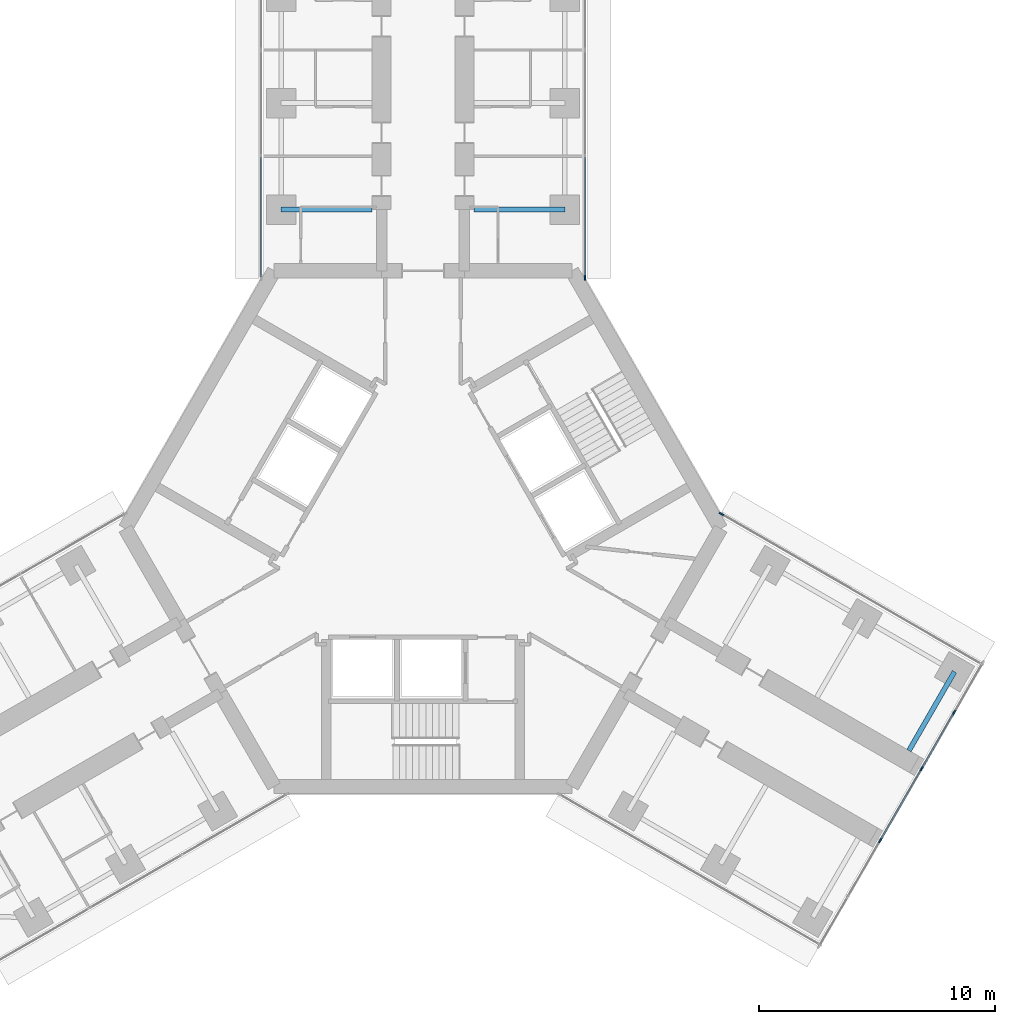
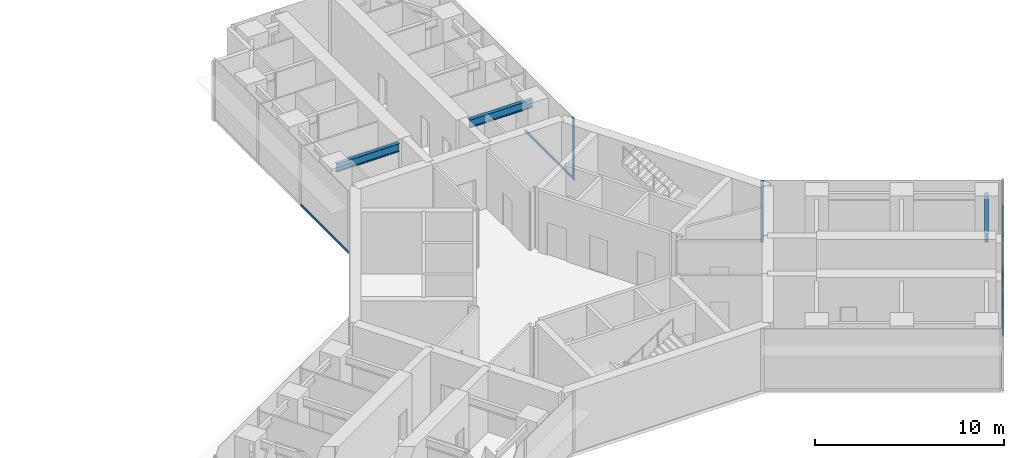
# One storey, part 10 of 23: 9 members, 3 beams, 4 elements without a shape of their own.
"""IFC4 building model written with IfcOpenShell, lengths in metres."""

from ifc_helpers import new_model, si_unit, direction, frame, origin, origin_2d, place, context, subcontext, project, spatial, rectangle, i_section, extrude, material, material_profile, profile_set, type_object, element, aggregate, save


model = new_model("IFC4")

# Units and contexts
model_context = context("Model", 3, precision=1e-05, world=origin(), true_north=direction((0.0, 1.0)))
body_context = subcontext(model_context, "Body", "Model", "MODEL_VIEW")
ifc_project = project(units=[si_unit("LENGTHUNIT", "METRE"), si_unit("AREAUNIT", "SQUARE_METRE"), si_unit("VOLUMEUNIT", "CUBIC_METRE"), si_unit("PLANEANGLEUNIT", "RADIAN"), si_unit("MASSUNIT", "GRAM", prefix="KILO")], contexts=[model_context])

# Site, building, storey
site_placement = place(None, origin())
site = spatial("IfcSite", under=ifc_project, at=site_placement, CompositionType="ELEMENT")
building_placement = place(site_placement, origin())
building = spatial("IfcBuilding", under=site, at=building_placement, Name="Upepo Twin Towers", CompositionType="ELEMENT")
storey_placement = place(building_placement, frame((0.0, 0.0, 145.5)))
storey = spatial("IfcBuildingStorey", under=building, at=storey_placement, Name="L35", CompositionType="ELEMENT", Elevation=145.5)

# Beams
ifc_material_1 = material(Name="Steel S355", Category="steel")
ifc_material_profile_1 = material_profile(ifc_material_1, i_section(OverallWidth=0.209228515625, OverallDepth=0.533203125, WebThickness=0.010009765625, FlangeThickness=0.015625, FilletRadius=0.0126953125, at=origin_2d()), Name="UB 533x210x92")
ifc_profile_set_1 = profile_set([ifc_material_profile_1], Name="Steel S355")
beam_type = type_object("IfcBeamType", Name="Beam UB 533x210x92", PredefinedType="BEAM", material=ifc_profile_set_1)
for number, where, z_axis, x_axis, name in (
    (1, (52.5, -4.5, 3.533447265625), (1.0, 0.0, 0.0), (0.0, 1.0, 0.0), "T2 girder AL at 13.5"),
    (2, (64.5, -4.5, 3.533447265625), (-1.0, 0.0, 0.0), (0.0, -1.0, 0.0), "T2 girder AR at 13.5"),
):
    element("IfcBeam", number, at=place(storey_placement, frame(where, z_axis=z_axis, x_axis=x_axis)), inside=storey, type_object=beam_type, Name=name, PredefinedType="BEAM", context=body_context, shape_type="SweptSolid", body=[
        extrude(i_section(OverallWidth=0.209228515625, OverallDepth=0.533203125, WebThickness=0.010009765625, FlangeThickness=0.015625, FilletRadius=0.0126953125, at=origin_2d()), origin(), (0.0, 0.0, 1.0), 3.85009765625),
    ])
beam_placement = place(storey_placement, frame((80.985595703125, -24.053955078125, 3.533447265625), z_axis=(-0.500033517596, -0.866006051527, 0.0), x_axis=(0.866006051527, -0.500033517596, 0.0)))
element("IfcBeam", 3, at=beam_placement, inside=storey, type_object=beam_type, Name="T2 girder CL at 22.5", PredefinedType="BEAM", context=body_context, shape_type="SweptSolid", body=[
    extrude(i_section(OverallWidth=0.209228515625, OverallDepth=0.533203125, WebThickness=0.010009765625, FlangeThickness=0.015625, FilletRadius=0.0126953125, at=origin_2d()), origin(), (0.0, 0.0, 1.0), 3.849853515625),
])

# Curtain wall, member
ifc_material_2 = material(Name="Aluminium and fritted glass", Category="aluminium")
curtain_wall_type = type_object("IfcCurtainWallType", Name="Tower curtain wall TW2, fritted glass", PredefinedType="NOTDEFINED", material=ifc_material_2)
curtain_wall_1_placement = place(storey_placement, origin())
curtain_wall_1 = element("IfcCurtainWall", 4, at=curtain_wall_1_placement, inside=storey, type_object=curtain_wall_type, Name="T2 L35 wing A flank R curtain wall", PredefinedType="NOTDEFINED")
ifc_material_3 = material(Name="Aluminium mullion", Category="aluminium")
ifc_material_profile_2 = material_profile(ifc_material_3, rectangle(XDim=0.06494140625, YDim=0.199951171875, at=origin_2d()), Name="MULLION 65x200")
ifc_profile_set_2 = profile_set([ifc_material_profile_2], Name="Aluminium mullion")
member_type_1 = type_object("IfcMemberType", Name="Mullion 65x200 TW2", PredefinedType="MULLION", material=ifc_profile_set_2)
member_1_placement = place(storey_placement, frame((65.35009765625, -7.38037109375, 0.0), z_axis=(0.0, 0.0, 1.0), x_axis=(1.0, 0.0, 0.0)))
member_1 = element("IfcMember", 5, at=member_1_placement, type_object=member_type_1, Name="T2 L35 wing A flank R curtain wall mullion 4", PredefinedType="MULLION", context=body_context, shape_type="SweptSolid", body=[
    extrude(rectangle(XDim=0.06494140625, YDim=0.199951171875, at=origin_2d()), origin(), (0.0, 0.0, 1.0), 4.0),
])

curtain_wall_2_placement = place(storey_placement, origin())
curtain_wall_2 = element("IfcCurtainWall", 6, at=curtain_wall_2_placement, inside=storey, type_object=curtain_wall_type, Name="T2 L35 wing C flank L curtain wall", PredefinedType="NOTDEFINED")
member_2_placement = place(storey_placement, frame((71.121826171875, -17.37744140625, 0.0), z_axis=(0.0, 0.0, 1.0), x_axis=(0.50000000792, 0.866025399212, 0.0)))
member_2 = element("IfcMember", 7, at=member_2_placement, type_object=member_type_1, Name="T2 L35 wing C flank L curtain wall mullion 1", PredefinedType="MULLION", context=body_context, shape_type="SweptSolid", body=[
    extrude(rectangle(XDim=0.06494140625, YDim=0.199951171875, at=origin_2d()), origin(), (0.0, 0.0, 1.0), 4.0),
])
aggregate(curtain_wall_2, [member_2])

# Curtain wall, members
curtain_wall_3_placement = place(storey_placement, origin())
curtain_wall_3 = element("IfcCurtainWall", 8, at=curtain_wall_3_placement, inside=storey, type_object=curtain_wall_type, Name="T2 L35 wing C nose curtain wall", PredefinedType="NOTDEFINED")
member_3_placement = place(storey_placement, frame((77.8466796875, -31.1904296875, 0.0), z_axis=(0.0, 0.0, 1.0), x_axis=(-0.866025419745, 0.499999972355, 0.0)))
member_3 = element("IfcMember", 9, at=member_3_placement, type_object=member_type_1, Name="T2 L35 wing C nose curtain wall mullion 3", PredefinedType="MULLION", context=body_context, shape_type="SweptSolid", body=[
    extrude(rectangle(XDim=0.06494140625, YDim=0.199951171875, at=origin_2d()), origin(), (0.0, 0.0, 1.0), 4.0),
])
member_4_placement = place(storey_placement, frame((79.5966796875, -28.159423828125, 0.0), z_axis=(0.0, 0.0, 1.0), x_axis=(-0.866025419745, 0.499999972355, 0.0)))
member_4 = element("IfcMember", 10, at=member_4_placement, type_object=member_type_1, Name="T2 L35 wing C nose curtain wall mullion 4", PredefinedType="MULLION", context=body_context, shape_type="SweptSolid", body=[
    extrude(rectangle(XDim=0.06494140625, YDim=0.199951171875, at=origin_2d()), origin(), (0.0, 0.0, 1.0), 4.0),
])
member_5_placement = place(storey_placement, frame((80.9716796875, -25.77783203125, 0.0), z_axis=(0.0, 0.0, 1.0), x_axis=(-0.866025419745, 0.499999972355, 0.0)))
member_5 = element("IfcMember", 11, at=member_5_placement, type_object=member_type_1, Name="T2 L35 wing C nose curtain wall mullion 5", PredefinedType="MULLION", context=body_context, shape_type="SweptSolid", body=[
    extrude(rectangle(XDim=0.06494140625, YDim=0.199951171875, at=origin_2d()), origin(), (0.0, 0.0, 1.0), 4.0),
])

# Curtain wall, member
curtain_wall_4_placement = place(storey_placement, origin())
curtain_wall_4 = element("IfcCurtainWall", 12, at=curtain_wall_4_placement, inside=storey, type_object=curtain_wall_type, Name="T2 L35 wing A flank L curtain wall", PredefinedType="NOTDEFINED")
ifc_material_4 = material(Name="Aluminium transom", Category="aluminium")
ifc_material_profile_3 = material_profile(ifc_material_4, rectangle(XDim=0.06494140625, YDim=0.14990234375, at=origin_2d()), Name="TRANSOM 65x150")
ifc_profile_set_3 = profile_set([ifc_material_profile_3], Name="Aluminium transom")
member_type_2 = type_object("IfcMemberType", Name="Transom 65x150 TW2", PredefinedType="USERDEFINED", material=ifc_profile_set_3)
member_6_placement = place(storey_placement, frame((51.64990234375, -7.347900390625, 0.074951171875), z_axis=(0.0, 1.0, 0.0), x_axis=(-1.0, 0.0, 0.0)))
member_6 = element("IfcMember", 13, at=member_6_placement, type_object=member_type_2, Name="T2 L35 wing A flank L curtain wall transom 1", ObjectType="TRANSOM", PredefinedType="USERDEFINED", context=body_context, shape_type="SweptSolid", body=[
    extrude(rectangle(XDim=0.06494140625, YDim=0.14990234375, at=origin_2d()), origin(), (0.0, 0.0, 1.0), 5.0654296875),
])
aggregate(curtain_wall_4, [member_6])

# Member
member_7_placement = place(storey_placement, frame((65.35009765625, -2.282470703125, 0.074951171875), z_axis=(0.0, -1.0, 0.0), x_axis=(1.0, 0.0, 0.0)))
member_7 = element("IfcMember", 14, at=member_7_placement, type_object=member_type_2, Name="T2 L35 wing A flank R curtain wall transom 3", ObjectType="TRANSOM", PredefinedType="USERDEFINED", context=body_context, shape_type="SweptSolid", body=[
    extrude(rectangle(XDim=0.06494140625, YDim=0.14990234375, at=origin_2d()), origin(), (0.0, 0.0, 1.0), 5.0654296875),
])

aggregate(curtain_wall_1, [member_1, member_7])

member_8_placement = place(storey_placement, frame((77.863037109375, -31.162353515625, 0.074951171875), z_axis=(0.499945997713, 0.866056579774, 0.0), x_axis=(-0.866056579774, 0.499945997713, 0.0)))
member_8 = element("IfcMember", 15, at=member_8_placement, type_object=member_type_2, Name="T2 L35 wing C nose curtain wall transom 3", ObjectType="TRANSOM", PredefinedType="USERDEFINED", context=body_context, shape_type="SweptSolid", body=[
    extrude(rectangle(XDim=0.06494140625, YDim=0.14990234375, at=origin_2d()), origin(), (0.0, 0.0, 1.0), 3.43505859375),
])

member_9_placement = place(storey_placement, frame((79.613037109375, -28.13134765625, 0.074951171875), z_axis=(0.49995335277, 0.8660523339, 0.0), x_axis=(-0.8660523339, 0.49995335277, 0.0)))
member_9 = element("IfcMember", 16, at=member_9_placement, type_object=member_type_2, Name="T2 L35 wing C nose curtain wall transom 4", ObjectType="TRANSOM", PredefinedType="USERDEFINED", context=body_context, shape_type="SweptSolid", body=[
    extrude(rectangle(XDim=0.06494140625, YDim=0.14990234375, at=origin_2d()), origin(), (0.0, 0.0, 1.0), 2.684814453125),
])

aggregate(curtain_wall_3, [member_3, member_4, member_5, member_8, member_9])

save(model, "model.ifc")
